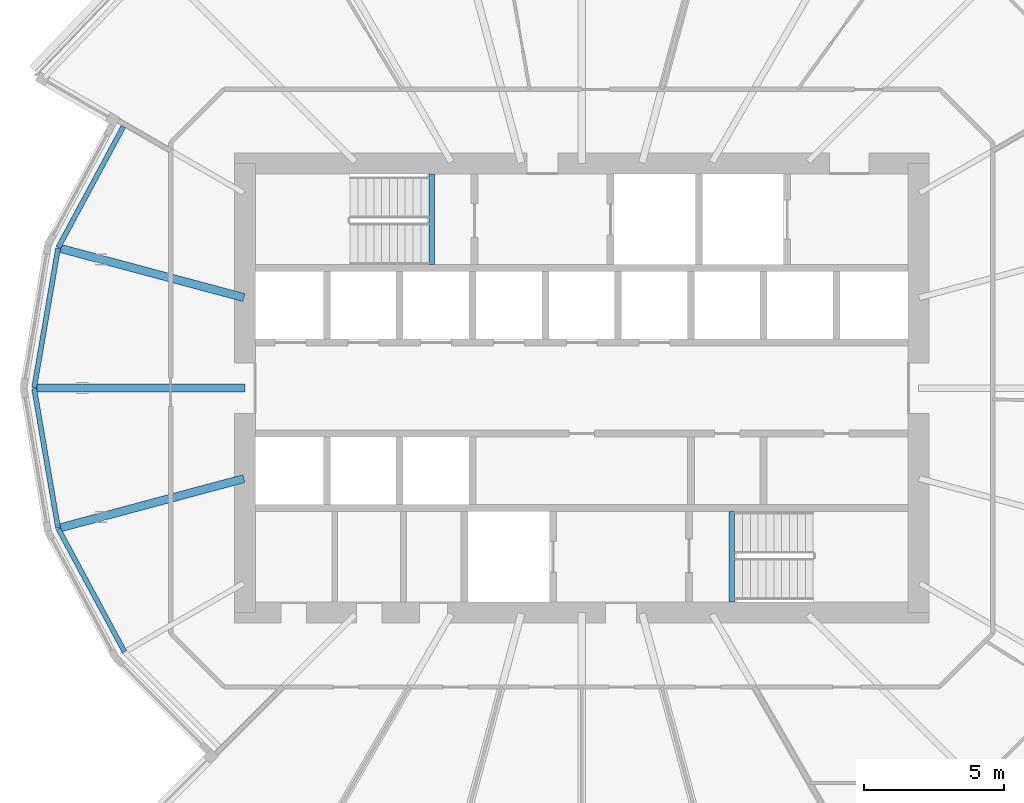
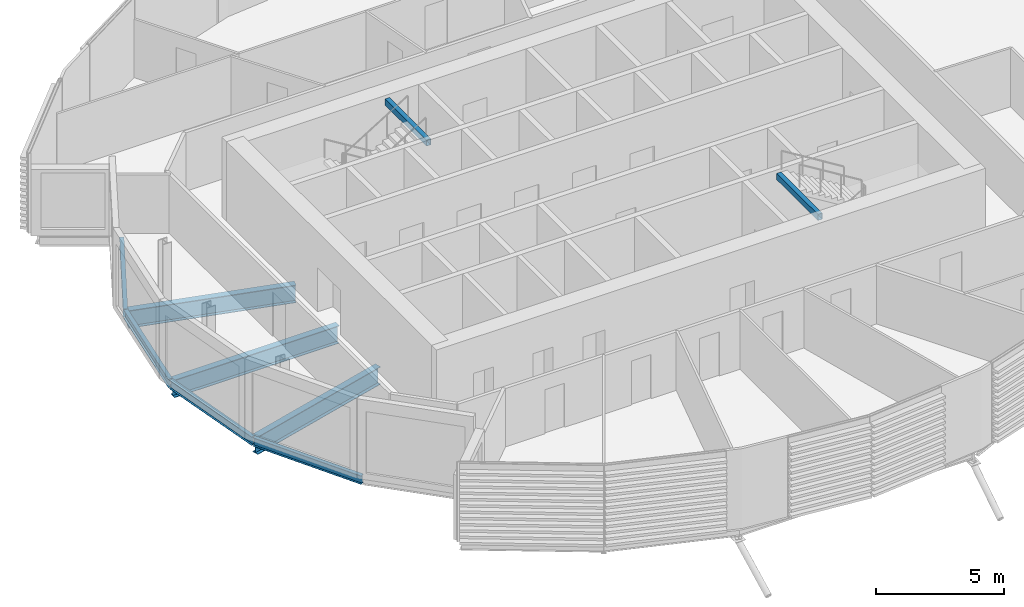
# One storey, part 5 of 38: 9 beams.
"""IFC4 building model written with IfcOpenShell, lengths in metres."""

from ifc_helpers import new_model, si_unit, direction, frame, origin, origin_2d, place, context, subcontext, project, spatial, hollow_rectangle, i_section, extrude, material, material_profile, profile_set, type_object, element, save


model = new_model("IFC4")

# Units and contexts
model_context = context("Model", 3, precision=1e-05, world=origin(), true_north=direction((0.0, 1.0)))
body_context = subcontext(model_context, "Body", "Model", "MODEL_VIEW")
ifc_project = project(units=[si_unit("LENGTHUNIT", "METRE"), si_unit("AREAUNIT", "SQUARE_METRE"), si_unit("VOLUMEUNIT", "CUBIC_METRE"), si_unit("PLANEANGLEUNIT", "RADIAN"), si_unit("MASSUNIT", "GRAM", prefix="KILO")], contexts=[model_context])

# Site, building, storey
site_placement = place(None, origin())
site = spatial("IfcSite", under=ifc_project, at=site_placement, CompositionType="ELEMENT")
building_placement = place(site_placement, origin())
building = spatial("IfcBuilding", under=site, at=building_placement, Name="Rimbun Link Towers", CompositionType="ELEMENT")
storey_placement = place(building_placement, frame((0.0, 0.0, 119.60009765625)))
storey = spatial("IfcBuildingStorey", under=building, at=storey_placement, Name="L29", CompositionType="ELEMENT", Elevation=119.60009765625)

# Beams
ifc_material_1 = material(Name="Steel S355J2", Category="steel")
ifc_material_profile_1 = material_profile(ifc_material_1, hollow_rectangle(XDim=0.199951171875, YDim=0.300048828125, WallThickness=0.011962890625, at=origin_2d()), Name="BOX 300x200x12")
ifc_profile_set_1 = profile_set([ifc_material_profile_1], Name="Steel S355J2")
beam_type_1 = type_object("IfcBeamType", Name="Stair trimmer beam BOX 300x200x12", PredefinedType="BEAM", material=ifc_profile_set_1)
for number, where, z_axis, x_axis, name in (
    (1, (-37.10009765625, 7.625, 3.489990234375), (0.0, -1.0, 0.0), (1.0, 0.0, 0.0), "L29 ST1 stair beam 1"),
    (2, (-26.39990234375, -7.625, 3.489990234375), (0.0, 1.0, 0.0), (-1.0, 0.0, 0.0), "L29 ST2 stair beam 1"),
):
    element("IfcBeam", number, at=place(storey_placement, frame(where, z_axis=z_axis, x_axis=x_axis)), inside=storey, type_object=beam_type_1, Name=name, PredefinedType="BEAM", context=body_context, shape_type="SweptSolid", body=[
        extrude(hollow_rectangle(XDim=0.199951171875, YDim=0.300048828125, WallThickness=0.011962890625, at=origin_2d()), origin(), (0.0, 0.0, 1.0), 3.22509765625),
    ])
ifc_material_2 = material(Name="Steel S355J2", Category="steel")
ifc_material_profile_2 = material_profile(ifc_material_2, i_section(OverallWidth=0.177978515625, OverallDepth=0.406494140625, WebThickness=0.0078125, FlangeThickness=0.0126953125, at=origin_2d()), Name="UB 406x178x60")
ifc_profile_set_2 = profile_set([ifc_material_profile_2], Name="Steel S355J2")
beam_type_2 = type_object("IfcBeamType", Name="UB 406x178x60", PredefinedType="BEAM", material=ifc_profile_set_2)
beam_1_placement = place(storey_placement, frame((-48.08837890625, 9.319091796875, -0.36328125), z_axis=(-0.47376324309, -0.880652252309, 0.0), x_axis=(0.880652252309, -0.47376324309, 0.0)))
element("IfcBeam", 3, at=beam_1_placement, inside=storey, type_object=beam_type_2, Name="Edge beam T1 L29 10 recess", PredefinedType="BEAM", context=body_context, shape_type="SweptSolid", body=[
    extrude(i_section(OverallWidth=0.177978515625, OverallDepth=0.406494140625, WebThickness=0.0078125, FlangeThickness=0.0126953125, at=origin_2d()), origin(), (0.0, 0.0, 1.0), 4.888427734375),
])
for number, where, z_axis, x_axis, name in (
    (4, (-50.414306640625, 4.985107421875, -0.36328125), (-0.168677498166, -0.985671294911, 0.0), (0.985671294911, -0.168677498166, 0.0), "Edge beam T1 L29 11 recess"),
    (5, (-51.2646484375, -0.01611328125, -0.36328125), (0.168677498166, -0.985671294911, 0.0), (0.985671294911, 0.168677498166, 0.0), "Edge beam T1 L29 12 recess"),
):
    element("IfcBeam", number, at=place(storey_placement, frame(where, z_axis=z_axis, x_axis=x_axis)), inside=storey, type_object=beam_type_2, Name=name, PredefinedType="BEAM", context=body_context, shape_type="SweptSolid", body=[
        extrude(i_section(OverallWidth=0.177978515625, OverallDepth=0.406494140625, WebThickness=0.0078125, FlangeThickness=0.0126953125, at=origin_2d()), origin(), (0.0, 0.0, 1.0), 5.041259765625),
    ])
beam_2_placement = place(storey_placement, frame((-50.404296875, -5.01416015625, -0.36328125), z_axis=(0.473798255027, -0.880633416089, 0.0), x_axis=(0.880633416089, 0.473798255027, 0.0)))
element("IfcBeam", 6, at=beam_2_placement, inside=storey, type_object=beam_type_2, Name="Edge beam T1 L29 13 recess", PredefinedType="BEAM", context=body_context, shape_type="SweptSolid", body=[
    extrude(i_section(OverallWidth=0.177978515625, OverallDepth=0.406494140625, WebThickness=0.0078125, FlangeThickness=0.0126953125, at=origin_2d()), origin(), (0.0, 0.0, 1.0), 4.972900390625),
])
ifc_material_3 = material(Name="Steel S355J2", Category="steel")
ifc_material_profile_3 = material_profile(ifc_material_3, i_section(OverallWidth=0.29248046875, OverallDepth=0.8408203125, WebThickness=0.0126953125, FlangeThickness=0.021728515625, at=origin_2d()), Name="UB 838x292x194")
ifc_profile_set_3 = profile_set([ifc_material_profile_3], Name="Steel S355J2")
beam_type_3 = type_object("IfcBeamType", Name="UB 838x292x194", PredefinedType="BEAM", material=ifc_profile_set_3)
beam_3_placement = place(storey_placement, frame((-43.788818359375, 3.225830078125, -0.58056640625), z_axis=(-0.965928242155, 0.258810028799, 0.0), x_axis=(-0.258810028799, -0.965928242155, 0.0)))
element("IfcBeam", 7, at=beam_3_placement, inside=storey, type_object=beam_type_3, Name="Radial beam T1 L29 11", PredefinedType="BEAM", context=body_context, shape_type="SweptSolid", body=[
    extrude(i_section(OverallWidth=0.29248046875, OverallDepth=0.8408203125, WebThickness=0.0126953125, FlangeThickness=0.021728515625, at=origin_2d()), origin(), (0.0, 0.0, 1.0), 6.766357421875),
])
beam_4_placement = place(storey_placement, frame((-43.7509765625, 0.0, -0.58056640625), z_axis=(-1.0, 0.0, 0.0), x_axis=(0.0, -1.0, 0.0)))
element("IfcBeam", 8, at=beam_4_placement, inside=storey, type_object=beam_type_3, Name="Radial beam T1 L29 12", PredefinedType="BEAM", context=body_context, shape_type="SweptSolid", body=[
    extrude(i_section(OverallWidth=0.29248046875, OverallDepth=0.8408203125, WebThickness=0.0126953125, FlangeThickness=0.021728515625, at=origin_2d()), origin(), (0.0, 0.0, 1.0), 7.426513671875),
])
beam_5_placement = place(storey_placement, frame((-43.788818359375, -3.225830078125, -0.58056640625), z_axis=(-0.965928242155, -0.258810028799, 0.0), x_axis=(0.258810028799, -0.965928242155, 0.0)))
element("IfcBeam", 9, at=beam_5_placement, inside=storey, type_object=beam_type_3, Name="Radial beam T1 L29 13", PredefinedType="BEAM", context=body_context, shape_type="SweptSolid", body=[
    extrude(i_section(OverallWidth=0.29248046875, OverallDepth=0.8408203125, WebThickness=0.0126953125, FlangeThickness=0.021728515625, at=origin_2d()), origin(), (0.0, 0.0, 1.0), 6.766357421875),
])

save(model, "model.ifc")
